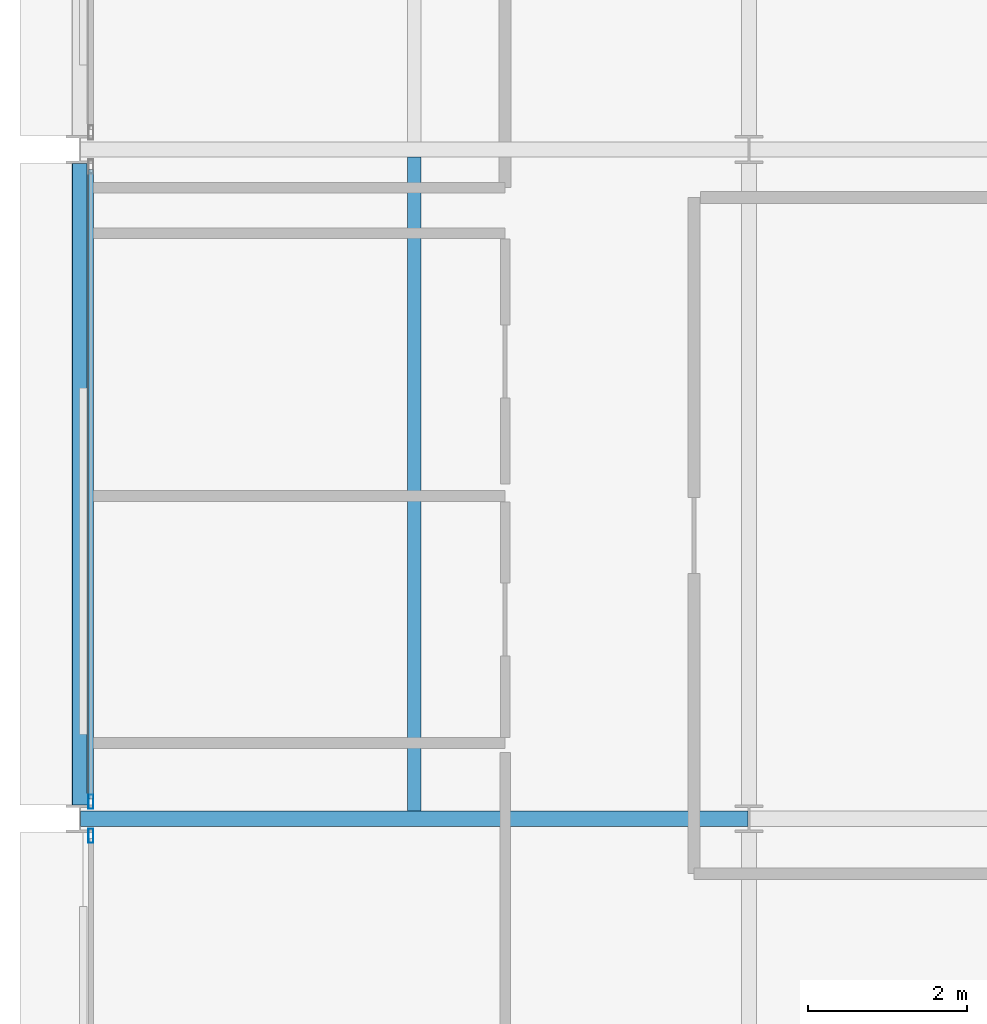
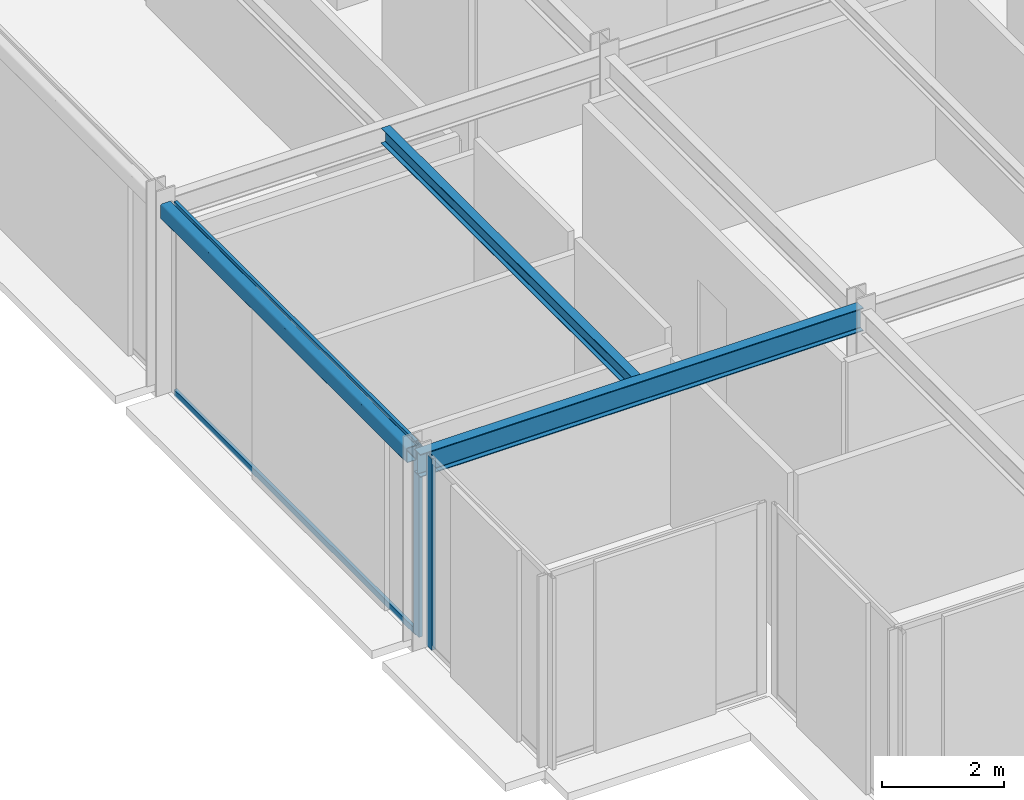
# One storey, part 4 of 26: 4 members, 3 beams, 2 elements without a shape of their own.
"""IFC4 building model written with IfcOpenShell, lengths in metres."""

from ifc_helpers import new_model, si_unit, direction, frame, origin, origin_2d, place, context, subcontext, project, spatial, hollow_rectangle, i_section, extrude, material, layer, layer_set, material_profile, profile_set, type_object, element, aggregate, save


model = new_model("IFC4")

# Units and contexts
model_context = context("Model", 3, precision=1e-05, world=origin(), true_north=direction((0.0, 1.0)))
body_context = subcontext(model_context, "Body", "Model", "MODEL_VIEW")
ifc_project = project(units=[si_unit("LENGTHUNIT", "METRE"), si_unit("AREAUNIT", "SQUARE_METRE"), si_unit("VOLUMEUNIT", "CUBIC_METRE"), si_unit("PLANEANGLEUNIT", "RADIAN"), si_unit("MASSUNIT", "GRAM", prefix="KILO")], contexts=[model_context])

# Site, building, storey
site_placement = place(None, origin())
site = spatial("IfcSite", under=ifc_project, at=site_placement, CompositionType="ELEMENT")
building_placement = place(site_placement, origin())
building = spatial("IfcBuilding", under=site, at=building_placement, Name="Nerrivon Quay Data Exchange", CompositionType="ELEMENT")
storey_placement = place(building_placement, frame((0.0, 0.0, 228.800048828125)))
storey = spatial("IfcBuildingStorey", under=building, at=storey_placement, Name="L54", CompositionType="ELEMENT", Elevation=228.800048828125)

# Beams
ifc_material_1 = material(Name="Steel Grade 350", Category="steel")
ifc_material_profile_1 = material_profile(ifc_material_1, i_section(OverallWidth=0.19091796875, OverallDepth=0.4599609375, WebThickness=0.010009765625, FlangeThickness=0.01611328125, FilletRadius=0.011474609375, at=origin_2d()), Name="460UB82.1")
ifc_profile_set_1 = profile_set([ifc_material_profile_1], Name="Steel Grade 350")
beam_type_1 = type_object("IfcBeamType", Name="BM-G5-460UB82", PredefinedType="BEAM", material=ifc_profile_set_1)
beam_1_placement = place(storey_placement, frame((0.010009765625, 8.39990234375, 3.594970703125), z_axis=(1.0, 0.0, 0.0), x_axis=(0.0, 1.0, 0.0)))
element("IfcBeam", 1, at=beam_1_placement, inside=storey, type_object=beam_type_1, Name="L54 EW Girder Y=8.4 (0.0..8.4)", PredefinedType="BEAM", context=body_context, shape_type="SweptSolid", body=[
    extrude(i_section(OverallWidth=0.19091796875, OverallDepth=0.4599609375, WebThickness=0.010009765625, FlangeThickness=0.01611328125, FilletRadius=0.011474609375, at=origin_2d()), origin(), (0.0, 0.0, 1.0), 8.3798828125),
])
ifc_material_profile_2 = material_profile(ifc_material_1, i_section(OverallWidth=0.166015625, OverallDepth=0.306884765625, WebThickness=0.006591796875, FlangeThickness=0.01171875, FilletRadius=0.011474609375, at=origin_2d()), Name="310UB46.2")
ifc_profile_set_2 = profile_set([ifc_material_profile_2], Name="Steel Grade 350")
beam_type_2 = type_object("IfcBeamType", Name="BM-J5-310UB46", PredefinedType="JOIST", material=ifc_profile_set_2)
beam_2_placement = place(storey_placement, frame((4.199951171875, 8.49560546875, 3.67138671875), z_axis=(0.0, 1.0, 0.0), x_axis=(-1.0, 0.0, 0.0)))
element("IfcBeam", 2, at=beam_2_placement, inside=storey, type_object=beam_type_2, Name="L54 Secondary Joist X=4.2 (8.4..16.8)", PredefinedType="JOIST", context=body_context, shape_type="SweptSolid", body=[
    extrude(i_section(OverallWidth=0.166015625, OverallDepth=0.306884765625, WebThickness=0.006591796875, FlangeThickness=0.01171875, FilletRadius=0.011474609375, at=origin_2d()), origin(), (0.0, 0.0, 1.0), 8.208984375),
])
ifc_material_2 = material(Name="Steel Grade C350L0 (350 MPa)", Category="steel")
ifc_material_profile_3 = material_profile(ifc_material_2, hollow_rectangle(XDim=0.199951171875, YDim=0.300048828125, WallThickness=0.012451171875, InnerFilletRadius=0.018798828125, OuterFilletRadius=0.03125, at=origin_2d()), Name="300x200x12.5RHS")
ifc_profile_set_3 = profile_set([ifc_material_profile_3], Name="Steel Grade C350L0 (350 MPa)")
beam_type_3 = type_object("IfcBeamType", Name="BM-SP3-300x200RHS", PredefinedType="SPANDREL", material=ifc_profile_set_3)
beam_3_placement = place(storey_placement, frame((0.0, 8.574951171875, 3.675048828125), z_axis=(0.0, 1.0, 0.0), x_axis=(-1.0, 0.0, 0.0)))
element("IfcBeam", 3, at=beam_3_placement, inside=storey, type_object=beam_type_3, Name="L54 NS Girder X=0.0 (8.4..16.8)", PredefinedType="SPANDREL", context=body_context, shape_type="SweptSolid", body=[
    extrude(hollow_rectangle(XDim=0.199951171875, YDim=0.300048828125, WallThickness=0.012451171875, InnerFilletRadius=0.018798828125, OuterFilletRadius=0.03125, at=origin_2d()), origin(), (0.0, 0.0, 1.0), 8.050048828125),
])

# Curtain wall, member
ifc_material_3 = material(Name="Anodised aluminium 6063-T6", Category="aluminium")
ifc_layer = layer(ifc_material_3, 0.195068359375)
ifc_layer_set = layer_set([ifc_layer], Name="Anodised aluminium 6063-T6")
curtain_wall_type = type_object("IfcCurtainWallType", Name="CW-SYS-06", PredefinedType="NOTDEFINED", material=ifc_layer_set)
curtain_wall_1_placement = place(storey_placement, origin())
curtain_wall_1 = element("IfcCurtainWall", 4, at=curtain_wall_1_placement, inside=storey, type_object=curtain_wall_type, Name="L54 Unitised Curtain Wall 11", PredefinedType="NOTDEFINED")
ifc_material_profile_4 = material_profile(ifc_material_3, hollow_rectangle(XDim=0.06494140625, YDim=0.179931640625, WallThickness=0.00341796875, at=origin_2d()), Name="ALU-MULL-180x65")
ifc_profile_set_4 = profile_set([ifc_material_profile_4], Name="Anodised aluminium 6063-T6")
member_type_1 = type_object("IfcMemberType", Name="CWM-180x65", PredefinedType="MULLION", material=ifc_profile_set_4)
member_1_placement = place(storey_placement, frame((0.139892578125, 8.1875, 0.0), z_axis=(0.0, 0.0, 1.0), x_axis=(-1.0, 0.0, 0.0)))
member_1 = element("IfcMember", 5, at=member_1_placement, type_object=member_type_1, Name="CW06 mullion 2", PredefinedType="MULLION", context=body_context, shape_type="SweptSolid", body=[
    extrude(hollow_rectangle(XDim=0.06494140625, YDim=0.179931640625, WallThickness=0.00341796875, at=origin_2d()), origin(), (0.0, 0.0, 1.0), 3.824951171875),
])
aggregate(curtain_wall_1, [member_1])

# Curtain wall, members
curtain_wall_2_placement = place(storey_placement, origin())
curtain_wall_2 = element("IfcCurtainWall", 6, at=curtain_wall_2_placement, inside=storey, type_object=curtain_wall_type, Name="L54 Unitised Curtain Wall 12", PredefinedType="NOTDEFINED")
member_2_placement = place(storey_placement, frame((0.139892578125, 8.612548828125, 0.0), z_axis=(0.0, 0.0, 1.0), x_axis=(-1.0, 0.0, 0.0)))
member_2 = element("IfcMember", 7, at=member_2_placement, type_object=member_type_1, Name="CW06 mullion 1", PredefinedType="MULLION", context=body_context, shape_type="SweptSolid", body=[
    extrude(hollow_rectangle(XDim=0.06494140625, YDim=0.179931640625, WallThickness=0.00341796875, at=origin_2d()), origin(), (0.0, 0.0, 1.0), 3.824951171875),
])
ifc_material_profile_5 = material_profile(ifc_material_3, hollow_rectangle(XDim=0.06005859375, YDim=0.1201171875, WallThickness=0.003173828125, at=origin_2d()), Name="ALU-TRAN-120x60")
ifc_profile_set_5 = profile_set([ifc_material_profile_5], Name="Anodised aluminium 6063-T6")
member_type_2 = type_object("IfcMemberType", Name="CWT-120x60", PredefinedType="USERDEFINED", material=ifc_profile_set_5)
member_3_placement = place(storey_placement, frame((0.139892578125, 8.64990234375, 0.032470703125), z_axis=(0.0, 1.0, 0.0), x_axis=(-1.0, 0.0, 0.0)))
member_3 = element("IfcMember", 8, at=member_3_placement, type_object=member_type_2, Name="CW06 transom 1.1", ObjectType="TRANSOM", PredefinedType="USERDEFINED", context=body_context, shape_type="SweptSolid", body=[
    extrude(hollow_rectangle(XDim=0.06005859375, YDim=0.1201171875, WallThickness=0.003173828125, at=origin_2d()), origin(), (0.0, 0.0, 1.0), 7.900146484375),
])
member_4_placement = place(storey_placement, frame((0.139892578125, 8.64990234375, 3.79248046875), z_axis=(0.0, 1.0, 0.0), x_axis=(-1.0, 0.0, 0.0)))
member_4 = element("IfcMember", 9, at=member_4_placement, type_object=member_type_2, Name="CW06 transom 1.2", ObjectType="TRANSOM", PredefinedType="USERDEFINED", context=body_context, shape_type="SweptSolid", body=[
    extrude(hollow_rectangle(XDim=0.06005859375, YDim=0.1201171875, WallThickness=0.003173828125, at=origin_2d()), origin(), (0.0, 0.0, 1.0), 7.900146484375),
])
aggregate(curtain_wall_2, [member_2, member_3, member_4])

save(model, "model.ifc")
